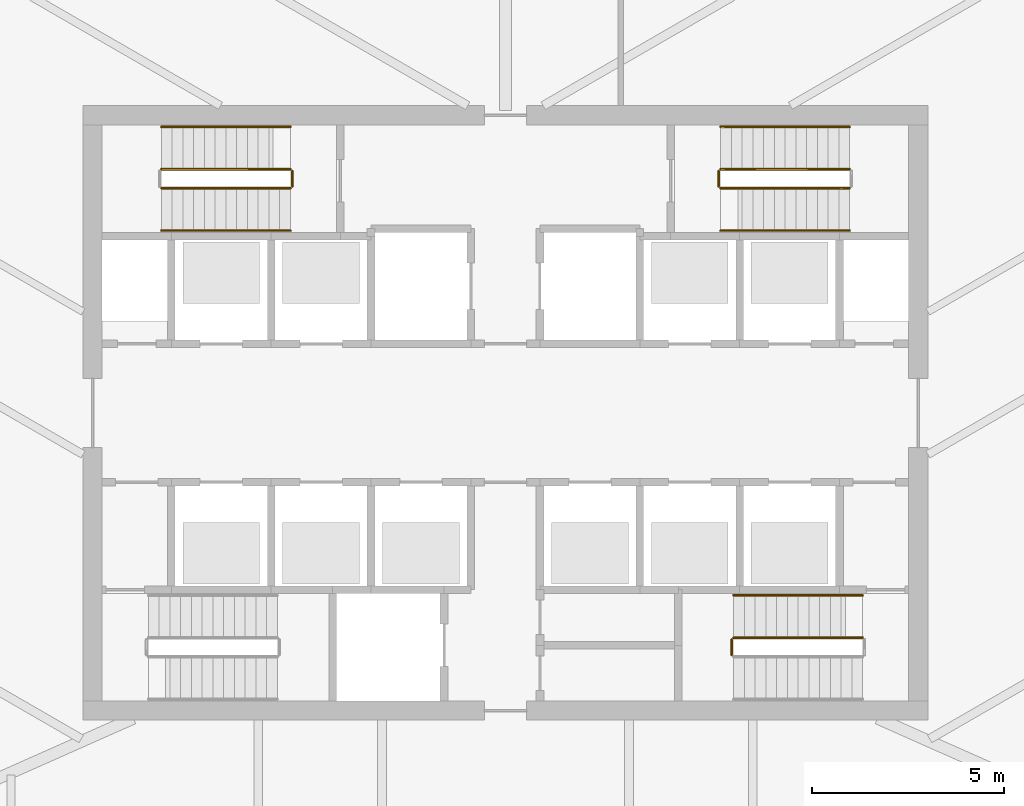
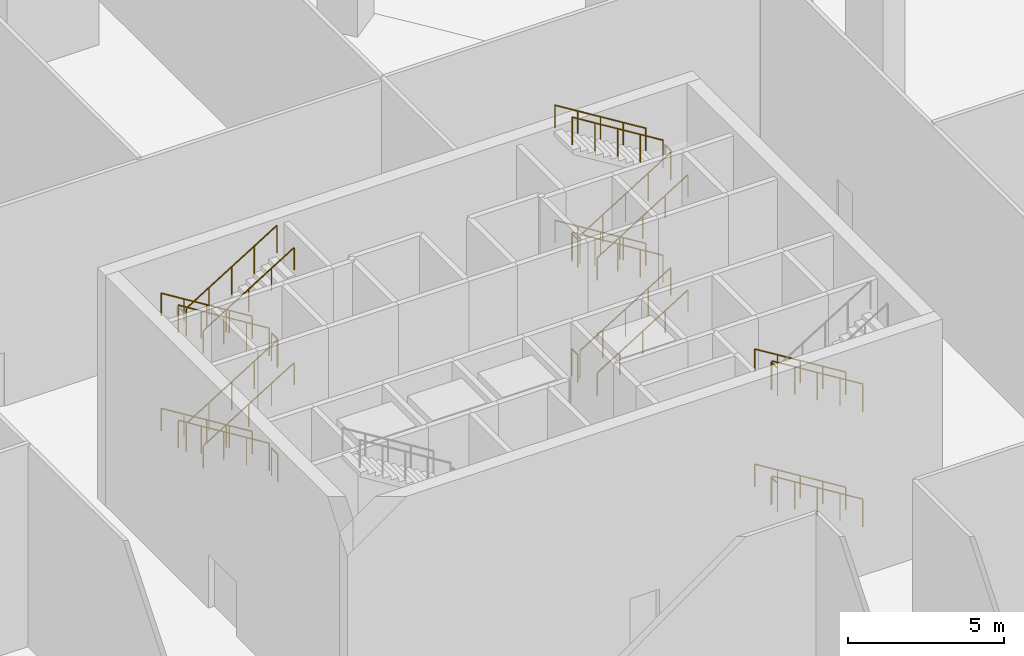
# One storey, part 25 of 29: 26 railings.
"""IFC4 building model written with IfcOpenShell, lengths in metres."""

from ifc_helpers import new_model, si_unit, direction, frame, origin, origin_2d, place, context, subcontext, project, spatial, circle, extrude, material, type_object, element, save


model = new_model("IFC4")

# Units and contexts
model_context = context("Model", 3, precision=1e-05, world=origin(), true_north=direction((0.0, 1.0)))
body_context = subcontext(model_context, "Body", "Model", "MODEL_VIEW")
ifc_project = project(units=[si_unit("LENGTHUNIT", "METRE"), si_unit("AREAUNIT", "SQUARE_METRE"), si_unit("VOLUMEUNIT", "CUBIC_METRE"), si_unit("PLANEANGLEUNIT", "RADIAN"), si_unit("MASSUNIT", "GRAM", prefix="KILO")], contexts=[model_context])

# Site, building, storey
site_placement = place(None, origin())
site = spatial("IfcSite", under=ifc_project, at=site_placement, CompositionType="ELEMENT")
building_placement = place(site_placement, origin())
building = spatial("IfcBuilding", under=site, at=building_placement, Name="Sierra Prisma Convention Tower", CompositionType="ELEMENT")
storey_placement = place(building_placement, origin())
storey = spatial("IfcBuildingStorey", under=building, at=storey_placement, Name="L00", CompositionType="ELEMENT", Elevation=0.0)

# Railings
ifc_material_1 = material(Name="Stainless steel", Category="steel")
railing_type_1 = type_object("IfcRailingType", Name="Exit stair handrail", PredefinedType="HANDRAIL", material=ifc_material_1)
for number, where, name in (
    (1, (9.300048828125, -4.75, 0.173095703125), "L00 S2 stair handrail 1"),
    (2, (9.300048828125, -4.75, 4.673095703125), "L00 S2 stair handrail 3"),
):
    element("IfcRailing", number, at=place(storey_placement, frame(where)), inside=storey, type_object=railing_type_1, Name=name, PredefinedType="HANDRAIL", context=body_context, shape_type="SweptSolid", body=[
        extrude(circle(Radius=0.02392578125, at=origin_2d()), frame((0.0, 0.0, 0.8759765625), z_axis=(-0.850623216509, 0.0, 0.525775754039), x_axis=(0.0, -1.0, 0.0)), (0.0, 0.0, 1.0), 3.9501953125),
        extrude(circle(Radius=0.02099609375, at=origin_2d()), origin(), (0.0, 0.0, 1.0), 0.851806640625),
        extrude(circle(Radius=0.02099609375, at=origin_2d()), frame((-0.840087890625, 0.0, 0.519287109375)), (0.0, 0.0, 1.0), 0.851806640625),
        extrude(circle(Radius=0.02099609375, at=origin_2d()), frame((-1.68017578125, 0.0, 1.03857421875)), (0.0, 0.0, 1.0), 0.851806640625),
        extrude(circle(Radius=0.02099609375, at=origin_2d()), frame((-2.52001953125, 0.0, 1.5576171875)), (0.0, 0.0, 1.0), 0.851806640625),
        extrude(circle(Radius=0.02099609375, at=origin_2d()), frame((-3.360107421875, 0.0, 2.076904296875)), (0.0, 0.0, 1.0), 0.851806640625),
    ])
railing_1_placement = place(storey_placement, frame((-5.60009765625, 7.449951171875, 0.173095703125)))
element("IfcRailing", 3, at=railing_1_placement, inside=storey, type_object=railing_type_1, Name="L00 S3 stair handrail 1", PredefinedType="HANDRAIL", context=body_context, shape_type="SweptSolid", body=[
    extrude(circle(Radius=0.02392578125, at=origin_2d()), frame((0.0, 0.0, 0.8759765625), z_axis=(-0.850606129759, 0.0, 0.525803396734), x_axis=(0.0, -1.0, 0.0)), (0.0, 0.0, 1.0), 3.949951171875),
    extrude(circle(Radius=0.02099609375, at=origin_2d()), origin(), (0.0, 0.0, 1.0), 0.851806640625),
    extrude(circle(Radius=0.02099609375, at=origin_2d()), frame((-0.83984375, 0.0, 0.519287109375)), (0.0, 0.0, 1.0), 0.851806640625),
    extrude(circle(Radius=0.02099609375, at=origin_2d()), frame((-1.679931640625, 0.0, 1.03857421875)), (0.0, 0.0, 1.0), 0.851806640625),
    extrude(circle(Radius=0.02099609375, at=origin_2d()), frame((-2.52001953125, 0.0, 1.5576171875)), (0.0, 0.0, 1.0), 0.851806640625),
    extrude(circle(Radius=0.02099609375, at=origin_2d()), frame((-3.35986328125, 0.0, 2.076904296875)), (0.0, 0.0, 1.0), 0.851806640625),
])
railing_2_placement = place(storey_placement, frame((-8.9599609375, 4.75, 2.423095703125)))
element("IfcRailing", 4, at=railing_2_placement, inside=storey, type_object=railing_type_1, Name="L00 S3 stair handrail 2", PredefinedType="HANDRAIL", context=body_context, shape_type="SweptSolid", body=[
    extrude(circle(Radius=0.02392578125, at=origin_2d()), frame((0.0, 0.0, 0.8759765625), z_axis=(0.850606129759, 0.0, 0.525803396734), x_axis=(0.0, 1.0, 0.0)), (0.0, 0.0, 1.0), 3.949951171875),
    extrude(circle(Radius=0.02099609375, at=origin_2d()), origin(), (0.0, 0.0, 1.0), 0.851806640625),
    extrude(circle(Radius=0.02099609375, at=origin_2d()), frame((0.83984375, 0.0, 0.519287109375)), (0.0, 0.0, 1.0), 0.851806640625),
    extrude(circle(Radius=0.02099609375, at=origin_2d()), frame((1.679931640625, 0.0, 1.03857421875)), (0.0, 0.0, 1.0), 0.851806640625),
    extrude(circle(Radius=0.02099609375, at=origin_2d()), frame((2.52001953125, 0.0, 1.5576171875)), (0.0, 0.0, 1.0), 0.851806640625),
    extrude(circle(Radius=0.02099609375, at=origin_2d()), frame((3.35986328125, 0.0, 2.076904296875)), (0.0, 0.0, 1.0), 0.851806640625),
])
railing_3_placement = place(storey_placement, frame((-5.60009765625, 7.449951171875, 4.673095703125)))
element("IfcRailing", 5, at=railing_3_placement, inside=storey, type_object=railing_type_1, Name="L00 S3 stair handrail 3", PredefinedType="HANDRAIL", context=body_context, shape_type="SweptSolid", body=[
    extrude(circle(Radius=0.02392578125, at=origin_2d()), frame((0.0, 0.0, 0.8759765625), z_axis=(-0.850606129759, 0.0, 0.525803396734), x_axis=(0.0, -1.0, 0.0)), (0.0, 0.0, 1.0), 3.949951171875),
    extrude(circle(Radius=0.02099609375, at=origin_2d()), origin(), (0.0, 0.0, 1.0), 0.851806640625),
    extrude(circle(Radius=0.02099609375, at=origin_2d()), frame((-0.83984375, 0.0, 0.519287109375)), (0.0, 0.0, 1.0), 0.851806640625),
    extrude(circle(Radius=0.02099609375, at=origin_2d()), frame((-1.679931640625, 0.0, 1.03857421875)), (0.0, 0.0, 1.0), 0.851806640625),
    extrude(circle(Radius=0.02099609375, at=origin_2d()), frame((-2.52001953125, 0.0, 1.5576171875)), (0.0, 0.0, 1.0), 0.851806640625),
    extrude(circle(Radius=0.02099609375, at=origin_2d()), frame((-3.35986328125, 0.0, 2.076904296875)), (0.0, 0.0, 1.0), 0.851806640625),
])
for number, where, name in (
    (6, (-8.9599609375, 4.75, 6.923095703125), "L00 S3 stair handrail 4"),
    (7, (5.60009765625, 4.75, 0.173095703125), "L00 S4 stair handrail 1"),
):
    element("IfcRailing", number, at=place(storey_placement, frame(where)), inside=storey, type_object=railing_type_1, Name=name, PredefinedType="HANDRAIL", context=body_context, shape_type="SweptSolid", body=[
        extrude(circle(Radius=0.02392578125, at=origin_2d()), frame((0.0, 0.0, 0.8759765625), z_axis=(0.850606129759, 0.0, 0.525803396734), x_axis=(0.0, 1.0, 0.0)), (0.0, 0.0, 1.0), 3.949951171875),
        extrude(circle(Radius=0.02099609375, at=origin_2d()), origin(), (0.0, 0.0, 1.0), 0.851806640625),
        extrude(circle(Radius=0.02099609375, at=origin_2d()), frame((0.83984375, 0.0, 0.519287109375)), (0.0, 0.0, 1.0), 0.851806640625),
        extrude(circle(Radius=0.02099609375, at=origin_2d()), frame((1.679931640625, 0.0, 1.03857421875)), (0.0, 0.0, 1.0), 0.851806640625),
        extrude(circle(Radius=0.02099609375, at=origin_2d()), frame((2.52001953125, 0.0, 1.5576171875)), (0.0, 0.0, 1.0), 0.851806640625),
        extrude(circle(Radius=0.02099609375, at=origin_2d()), frame((3.35986328125, 0.0, 2.076904296875)), (0.0, 0.0, 1.0), 0.851806640625),
    ])
railing_4_placement = place(storey_placement, frame((8.9599609375, 7.449951171875, 2.423095703125)))
element("IfcRailing", 8, at=railing_4_placement, inside=storey, type_object=railing_type_1, Name="L00 S4 stair handrail 2", PredefinedType="HANDRAIL", context=body_context, shape_type="SweptSolid", body=[
    extrude(circle(Radius=0.02392578125, at=origin_2d()), frame((0.0, 0.0, 0.8759765625), z_axis=(-0.850606129759, 0.0, 0.525803396734), x_axis=(0.0, -1.0, 0.0)), (0.0, 0.0, 1.0), 3.949951171875),
    extrude(circle(Radius=0.02099609375, at=origin_2d()), origin(), (0.0, 0.0, 1.0), 0.851806640625),
    extrude(circle(Radius=0.02099609375, at=origin_2d()), frame((-0.83984375, 0.0, 0.519287109375)), (0.0, 0.0, 1.0), 0.851806640625),
    extrude(circle(Radius=0.02099609375, at=origin_2d()), frame((-1.679931640625, 0.0, 1.03857421875)), (0.0, 0.0, 1.0), 0.851806640625),
    extrude(circle(Radius=0.02099609375, at=origin_2d()), frame((-2.52001953125, 0.0, 1.5576171875)), (0.0, 0.0, 1.0), 0.851806640625),
    extrude(circle(Radius=0.02099609375, at=origin_2d()), frame((-3.35986328125, 0.0, 2.076904296875)), (0.0, 0.0, 1.0), 0.851806640625),
])
railing_5_placement = place(storey_placement, frame((5.60009765625, 4.75, 4.673095703125)))
element("IfcRailing", 9, at=railing_5_placement, inside=storey, type_object=railing_type_1, Name="L00 S4 stair handrail 3", PredefinedType="HANDRAIL", context=body_context, shape_type="SweptSolid", body=[
    extrude(circle(Radius=0.02392578125, at=origin_2d()), frame((0.0, 0.0, 0.8759765625), z_axis=(0.850606129759, 0.0, 0.525803396734), x_axis=(0.0, 1.0, 0.0)), (0.0, 0.0, 1.0), 3.949951171875),
    extrude(circle(Radius=0.02099609375, at=origin_2d()), origin(), (0.0, 0.0, 1.0), 0.851806640625),
    extrude(circle(Radius=0.02099609375, at=origin_2d()), frame((0.83984375, 0.0, 0.519287109375)), (0.0, 0.0, 1.0), 0.851806640625),
    extrude(circle(Radius=0.02099609375, at=origin_2d()), frame((1.679931640625, 0.0, 1.03857421875)), (0.0, 0.0, 1.0), 0.851806640625),
    extrude(circle(Radius=0.02099609375, at=origin_2d()), frame((2.52001953125, 0.0, 1.5576171875)), (0.0, 0.0, 1.0), 0.851806640625),
    extrude(circle(Radius=0.02099609375, at=origin_2d()), frame((3.35986328125, 0.0, 2.076904296875)), (0.0, 0.0, 1.0), 0.851806640625),
])
railing_6_placement = place(storey_placement, frame((8.9599609375, 7.449951171875, 6.923095703125)))
element("IfcRailing", 10, at=railing_6_placement, inside=storey, type_object=railing_type_1, Name="L00 S4 stair handrail 4", PredefinedType="HANDRAIL", context=body_context, shape_type="SweptSolid", body=[
    extrude(circle(Radius=0.02392578125, at=origin_2d()), frame((0.0, 0.0, 0.8759765625), z_axis=(-0.850606129759, 0.0, 0.525803396734), x_axis=(0.0, -1.0, 0.0)), (0.0, 0.0, 1.0), 3.949951171875),
    extrude(circle(Radius=0.02099609375, at=origin_2d()), origin(), (0.0, 0.0, 1.0), 0.851806640625),
    extrude(circle(Radius=0.02099609375, at=origin_2d()), frame((-0.83984375, 0.0, 0.519287109375)), (0.0, 0.0, 1.0), 0.851806640625),
    extrude(circle(Radius=0.02099609375, at=origin_2d()), frame((-1.679931640625, 0.0, 1.03857421875)), (0.0, 0.0, 1.0), 0.851806640625),
    extrude(circle(Radius=0.02099609375, at=origin_2d()), frame((-2.52001953125, 0.0, 1.5576171875)), (0.0, 0.0, 1.0), 0.851806640625),
    extrude(circle(Radius=0.02099609375, at=origin_2d()), frame((-3.35986328125, 0.0, 2.076904296875)), (0.0, 0.0, 1.0), 0.851806640625),
])
ifc_material_2 = material(Name="Stainless steel", Category="steel")
railing_type_2 = type_object("IfcRailingType", Name="Stair guard 1100", PredefinedType="GUARDRAIL", material=ifc_material_2)
railing_7_placement = place(storey_placement, frame((9.300048828125, -5.85009765625, 0.173095703125)))
element("IfcRailing", 11, at=railing_7_placement, inside=storey, type_object=railing_type_2, Name="L00 S2 stair guard 1", PredefinedType="GUARDRAIL", context=body_context, shape_type="SweptSolid", body=[
    extrude(circle(Radius=0.02392578125, at=origin_2d()), frame((0.0, 0.0, 1.076171875), z_axis=(-0.850623216509, 0.0, 0.525775754039), x_axis=(0.0, -1.0, 0.0)), (0.0, 0.0, 1.0), 3.9501953125),
    extrude(circle(Radius=0.02099609375, at=origin_2d()), origin(), (0.0, 0.0, 1.0), 1.052001953125),
    extrude(circle(Radius=0.02099609375, at=origin_2d()), frame((-0.840087890625, 0.0, 0.519287109375)), (0.0, 0.0, 1.0), 1.052001953125),
    extrude(circle(Radius=0.02099609375, at=origin_2d()), frame((-1.68017578125, 0.0, 1.03857421875)), (0.0, 0.0, 1.0), 1.052001953125),
    extrude(circle(Radius=0.02099609375, at=origin_2d()), frame((-2.52001953125, 0.0, 1.5576171875)), (0.0, 0.0, 1.0), 1.052001953125),
    extrude(circle(Radius=0.02099609375, at=origin_2d()), frame((-3.360107421875, 0.0, 2.076904296875)), (0.0, 0.0, 1.0), 1.052001953125),
])
railing_8_placement = place(storey_placement, frame((5.889892578125, -5.89990234375, 2.25)))
element("IfcRailing", 12, at=railing_8_placement, inside=storey, type_object=railing_type_2, Name="L00 S2 stair guard 2", PredefinedType="GUARDRAIL", context=body_context, shape_type="SweptSolid", body=[
    extrude(circle(Radius=0.02392578125, at=origin_2d()), frame((0.0, 0.0, 1.076171875), z_axis=(0.0, -1.0, 0.0), x_axis=(1.0, 0.0, 0.0)), (0.0, 0.0, 1.0), 0.400146484375),
    extrude(circle(Radius=0.02099609375, at=origin_2d()), origin(), (0.0, 0.0, 1.0), 1.052001953125),
    extrude(circle(Radius=0.02099609375, at=origin_2d()), frame((0.0, -0.400146484375, 0.0)), (0.0, 0.0, 1.0), 1.052001953125),
])
railing_9_placement = place(storey_placement, frame((9.300048828125, -5.85009765625, 4.673095703125)))
element("IfcRailing", 13, at=railing_9_placement, inside=storey, type_object=railing_type_2, Name="L00 S2 stair guard 5", PredefinedType="GUARDRAIL", context=body_context, shape_type="SweptSolid", body=[
    extrude(circle(Radius=0.02392578125, at=origin_2d()), frame((0.0, 0.0, 1.076171875), z_axis=(-0.850623216509, 0.0, 0.525775754039), x_axis=(0.0, -1.0, 0.0)), (0.0, 0.0, 1.0), 3.9501953125),
    extrude(circle(Radius=0.02099609375, at=origin_2d()), origin(), (0.0, 0.0, 1.0), 1.052001953125),
    extrude(circle(Radius=0.02099609375, at=origin_2d()), frame((-0.840087890625, 0.0, 0.519287109375)), (0.0, 0.0, 1.0), 1.052001953125),
    extrude(circle(Radius=0.02099609375, at=origin_2d()), frame((-1.68017578125, 0.0, 1.03857421875)), (0.0, 0.0, 1.0), 1.052001953125),
    extrude(circle(Radius=0.02099609375, at=origin_2d()), frame((-2.52001953125, 0.0, 1.5576171875)), (0.0, 0.0, 1.0), 1.052001953125),
    extrude(circle(Radius=0.02099609375, at=origin_2d()), frame((-3.360107421875, 0.0, 2.076904296875)), (0.0, 0.0, 1.0), 1.052001953125),
])
railing_10_placement = place(storey_placement, frame((5.889892578125, -5.89990234375, 6.75)))
element("IfcRailing", 14, at=railing_10_placement, inside=storey, type_object=railing_type_2, Name="L00 S2 stair guard 6", PredefinedType="GUARDRAIL", context=body_context, shape_type="SweptSolid", body=[
    extrude(circle(Radius=0.02392578125, at=origin_2d()), frame((0.0, 0.0, 1.076171875), z_axis=(0.0, -1.0, 0.0), x_axis=(1.0, 0.0, 0.0)), (0.0, 0.0, 1.0), 0.400146484375),
    extrude(circle(Radius=0.02099609375, at=origin_2d()), origin(), (0.0, 0.0, 1.0), 1.052001953125),
    extrude(circle(Radius=0.02099609375, at=origin_2d()), frame((0.0, -0.400146484375, 0.0)), (0.0, 0.0, 1.0), 1.052001953125),
])
railing_11_placement = place(storey_placement, frame((-5.60009765625, 6.35009765625, 0.173095703125)))
element("IfcRailing", 15, at=railing_11_placement, inside=storey, type_object=railing_type_2, Name="L00 S3 stair guard 1", PredefinedType="GUARDRAIL", context=body_context, shape_type="SweptSolid", body=[
    extrude(circle(Radius=0.02392578125, at=origin_2d()), frame((0.0, 0.0, 1.076171875), z_axis=(-0.850606129759, 0.0, 0.525803396734), x_axis=(0.0, -1.0, 0.0)), (0.0, 0.0, 1.0), 3.949951171875),
    extrude(circle(Radius=0.02099609375, at=origin_2d()), origin(), (0.0, 0.0, 1.0), 1.052001953125),
    extrude(circle(Radius=0.02099609375, at=origin_2d()), frame((-0.83984375, 0.0, 0.519287109375)), (0.0, 0.0, 1.0), 1.052001953125),
    extrude(circle(Radius=0.02099609375, at=origin_2d()), frame((-1.679931640625, 0.0, 1.03857421875)), (0.0, 0.0, 1.0), 1.052001953125),
    extrude(circle(Radius=0.02099609375, at=origin_2d()), frame((-2.52001953125, 0.0, 1.5576171875)), (0.0, 0.0, 1.0), 1.052001953125),
    extrude(circle(Radius=0.02099609375, at=origin_2d()), frame((-3.35986328125, 0.0, 2.076904296875)), (0.0, 0.0, 1.0), 1.052001953125),
])
railing_12_placement = place(storey_placement, frame((-8.9599609375, 5.85009765625, 2.423095703125)))
element("IfcRailing", 16, at=railing_12_placement, inside=storey, type_object=railing_type_2, Name="L00 S3 stair guard 3", PredefinedType="GUARDRAIL", context=body_context, shape_type="SweptSolid", body=[
    extrude(circle(Radius=0.02392578125, at=origin_2d()), frame((0.0, 0.0, 1.076171875), z_axis=(0.850606129759, 0.0, 0.525803396734), x_axis=(0.0, 1.0, 0.0)), (0.0, 0.0, 1.0), 3.949951171875),
    extrude(circle(Radius=0.02099609375, at=origin_2d()), origin(), (0.0, 0.0, 1.0), 1.052001953125),
    extrude(circle(Radius=0.02099609375, at=origin_2d()), frame((0.83984375, 0.0, 0.519287109375)), (0.0, 0.0, 1.0), 1.052001953125),
    extrude(circle(Radius=0.02099609375, at=origin_2d()), frame((1.679931640625, 0.0, 1.03857421875)), (0.0, 0.0, 1.0), 1.052001953125),
    extrude(circle(Radius=0.02099609375, at=origin_2d()), frame((2.52001953125, 0.0, 1.5576171875)), (0.0, 0.0, 1.0), 1.052001953125),
    extrude(circle(Radius=0.02099609375, at=origin_2d()), frame((3.35986328125, 0.0, 2.076904296875)), (0.0, 0.0, 1.0), 1.052001953125),
])
railing_13_placement = place(storey_placement, frame((-5.550048828125, 6.300048828125, 4.5)))
element("IfcRailing", 17, at=railing_13_placement, inside=storey, type_object=railing_type_2, Name="L00 S3 stair guard 4", PredefinedType="GUARDRAIL", context=body_context, shape_type="SweptSolid", body=[
    extrude(circle(Radius=0.02392578125, at=origin_2d()), frame((0.0, 0.0, 1.076171875), z_axis=(0.0, -1.0, 0.0), x_axis=(1.0, 0.0, 0.0)), (0.0, 0.0, 1.0), 0.400146484375),
    extrude(circle(Radius=0.02099609375, at=origin_2d()), origin(), (0.0, 0.0, 1.0), 1.052001953125),
    extrude(circle(Radius=0.02099609375, at=origin_2d()), frame((0.0, -0.400146484375, 0.0)), (0.0, 0.0, 1.0), 1.052001953125),
])
railing_14_placement = place(storey_placement, frame((-5.60009765625, 6.35009765625, 4.673095703125)))
element("IfcRailing", 18, at=railing_14_placement, inside=storey, type_object=railing_type_2, Name="L00 S3 stair guard 5", PredefinedType="GUARDRAIL", context=body_context, shape_type="SweptSolid", body=[
    extrude(circle(Radius=0.02392578125, at=origin_2d()), frame((0.0, 0.0, 1.076171875), z_axis=(-0.850606129759, 0.0, 0.525803396734), x_axis=(0.0, -1.0, 0.0)), (0.0, 0.0, 1.0), 3.949951171875),
    extrude(circle(Radius=0.02099609375, at=origin_2d()), origin(), (0.0, 0.0, 1.0), 1.052001953125),
    extrude(circle(Radius=0.02099609375, at=origin_2d()), frame((-0.83984375, 0.0, 0.519287109375)), (0.0, 0.0, 1.0), 1.052001953125),
    extrude(circle(Radius=0.02099609375, at=origin_2d()), frame((-1.679931640625, 0.0, 1.03857421875)), (0.0, 0.0, 1.0), 1.052001953125),
    extrude(circle(Radius=0.02099609375, at=origin_2d()), frame((-2.52001953125, 0.0, 1.5576171875)), (0.0, 0.0, 1.0), 1.052001953125),
    extrude(circle(Radius=0.02099609375, at=origin_2d()), frame((-3.35986328125, 0.0, 2.076904296875)), (0.0, 0.0, 1.0), 1.052001953125),
])
railing_15_placement = place(storey_placement, frame((-8.9599609375, 5.85009765625, 6.923095703125)))
element("IfcRailing", 19, at=railing_15_placement, inside=storey, type_object=railing_type_2, Name="L00 S3 stair guard 7", PredefinedType="GUARDRAIL", context=body_context, shape_type="SweptSolid", body=[
    extrude(circle(Radius=0.02392578125, at=origin_2d()), frame((0.0, 0.0, 1.076171875), z_axis=(0.850606129759, 0.0, 0.525803396734), x_axis=(0.0, 1.0, 0.0)), (0.0, 0.0, 1.0), 3.949951171875),
    extrude(circle(Radius=0.02099609375, at=origin_2d()), origin(), (0.0, 0.0, 1.0), 1.052001953125),
    extrude(circle(Radius=0.02099609375, at=origin_2d()), frame((0.83984375, 0.0, 0.519287109375)), (0.0, 0.0, 1.0), 1.052001953125),
    extrude(circle(Radius=0.02099609375, at=origin_2d()), frame((1.679931640625, 0.0, 1.03857421875)), (0.0, 0.0, 1.0), 1.052001953125),
    extrude(circle(Radius=0.02099609375, at=origin_2d()), frame((2.52001953125, 0.0, 1.5576171875)), (0.0, 0.0, 1.0), 1.052001953125),
    extrude(circle(Radius=0.02099609375, at=origin_2d()), frame((3.35986328125, 0.0, 2.076904296875)), (0.0, 0.0, 1.0), 1.052001953125),
])
railing_16_placement = place(storey_placement, frame((-5.550048828125, 6.300048828125, 0.0)))
element("IfcRailing", 20, at=railing_16_placement, inside=storey, type_object=railing_type_2, Name="L00 S3 stair guard 8", PredefinedType="GUARDRAIL", context=body_context, shape_type="SweptSolid", body=[
    extrude(circle(Radius=0.02392578125, at=origin_2d()), frame((0.0, 0.0, 1.076171875), z_axis=(0.0, -1.0, 0.0), x_axis=(1.0, 0.0, 0.0)), (0.0, 0.0, 1.0), 0.400146484375),
    extrude(circle(Radius=0.02099609375, at=origin_2d()), origin(), (0.0, 0.0, 1.0), 1.052001953125),
    extrude(circle(Radius=0.02099609375, at=origin_2d()), frame((0.0, -0.400146484375, 0.0)), (0.0, 0.0, 1.0), 1.052001953125),
])
railing_17_placement = place(storey_placement, frame((5.60009765625, 5.85009765625, 0.173095703125)))
element("IfcRailing", 21, at=railing_17_placement, inside=storey, type_object=railing_type_2, Name="L00 S4 stair guard 1", PredefinedType="GUARDRAIL", context=body_context, shape_type="SweptSolid", body=[
    extrude(circle(Radius=0.02392578125, at=origin_2d()), frame((0.0, 0.0, 1.076171875), z_axis=(0.850606129759, 0.0, 0.525803396734), x_axis=(0.0, 1.0, 0.0)), (0.0, 0.0, 1.0), 3.949951171875),
    extrude(circle(Radius=0.02099609375, at=origin_2d()), origin(), (0.0, 0.0, 1.0), 1.052001953125),
    extrude(circle(Radius=0.02099609375, at=origin_2d()), frame((0.83984375, 0.0, 0.519287109375)), (0.0, 0.0, 1.0), 1.052001953125),
    extrude(circle(Radius=0.02099609375, at=origin_2d()), frame((1.679931640625, 0.0, 1.03857421875)), (0.0, 0.0, 1.0), 1.052001953125),
    extrude(circle(Radius=0.02099609375, at=origin_2d()), frame((2.52001953125, 0.0, 1.5576171875)), (0.0, 0.0, 1.0), 1.052001953125),
    extrude(circle(Radius=0.02099609375, at=origin_2d()), frame((3.35986328125, 0.0, 2.076904296875)), (0.0, 0.0, 1.0), 1.052001953125),
])
railing_18_placement = place(storey_placement, frame((8.9599609375, 6.35009765625, 2.423095703125)))
element("IfcRailing", 22, at=railing_18_placement, inside=storey, type_object=railing_type_2, Name="L00 S4 stair guard 3", PredefinedType="GUARDRAIL", context=body_context, shape_type="SweptSolid", body=[
    extrude(circle(Radius=0.02392578125, at=origin_2d()), frame((0.0, 0.0, 1.076171875), z_axis=(-0.850606129759, 0.0, 0.525803396734), x_axis=(0.0, -1.0, 0.0)), (0.0, 0.0, 1.0), 3.949951171875),
    extrude(circle(Radius=0.02099609375, at=origin_2d()), origin(), (0.0, 0.0, 1.0), 1.052001953125),
    extrude(circle(Radius=0.02099609375, at=origin_2d()), frame((-0.83984375, 0.0, 0.519287109375)), (0.0, 0.0, 1.0), 1.052001953125),
    extrude(circle(Radius=0.02099609375, at=origin_2d()), frame((-1.679931640625, 0.0, 1.03857421875)), (0.0, 0.0, 1.0), 1.052001953125),
    extrude(circle(Radius=0.02099609375, at=origin_2d()), frame((-2.52001953125, 0.0, 1.5576171875)), (0.0, 0.0, 1.0), 1.052001953125),
    extrude(circle(Radius=0.02099609375, at=origin_2d()), frame((-3.35986328125, 0.0, 2.076904296875)), (0.0, 0.0, 1.0), 1.052001953125),
])
railing_19_placement = place(storey_placement, frame((5.550048828125, 5.89990234375, 4.5)))
element("IfcRailing", 23, at=railing_19_placement, inside=storey, type_object=railing_type_2, Name="L00 S4 stair guard 4", PredefinedType="GUARDRAIL", context=body_context, shape_type="SweptSolid", body=[
    extrude(circle(Radius=0.02392578125, at=origin_2d()), frame((0.0, 0.0, 1.076171875), z_axis=(0.0, 1.0, 0.0), x_axis=(-1.0, 0.0, 0.0)), (0.0, 0.0, 1.0), 0.400146484375),
    extrude(circle(Radius=0.02099609375, at=origin_2d()), origin(), (0.0, 0.0, 1.0), 1.052001953125),
    extrude(circle(Radius=0.02099609375, at=origin_2d()), frame((0.0, 0.400146484375, 0.0)), (0.0, 0.0, 1.0), 1.052001953125),
])
railing_20_placement = place(storey_placement, frame((5.60009765625, 5.85009765625, 4.673095703125)))
element("IfcRailing", 24, at=railing_20_placement, inside=storey, type_object=railing_type_2, Name="L00 S4 stair guard 5", PredefinedType="GUARDRAIL", context=body_context, shape_type="SweptSolid", body=[
    extrude(circle(Radius=0.02392578125, at=origin_2d()), frame((0.0, 0.0, 1.076171875), z_axis=(0.850606129759, 0.0, 0.525803396734), x_axis=(0.0, 1.0, 0.0)), (0.0, 0.0, 1.0), 3.949951171875),
    extrude(circle(Radius=0.02099609375, at=origin_2d()), origin(), (0.0, 0.0, 1.0), 1.052001953125),
    extrude(circle(Radius=0.02099609375, at=origin_2d()), frame((0.83984375, 0.0, 0.519287109375)), (0.0, 0.0, 1.0), 1.052001953125),
    extrude(circle(Radius=0.02099609375, at=origin_2d()), frame((1.679931640625, 0.0, 1.03857421875)), (0.0, 0.0, 1.0), 1.052001953125),
    extrude(circle(Radius=0.02099609375, at=origin_2d()), frame((2.52001953125, 0.0, 1.5576171875)), (0.0, 0.0, 1.0), 1.052001953125),
    extrude(circle(Radius=0.02099609375, at=origin_2d()), frame((3.35986328125, 0.0, 2.076904296875)), (0.0, 0.0, 1.0), 1.052001953125),
])
railing_21_placement = place(storey_placement, frame((8.9599609375, 6.35009765625, 6.923095703125)))
element("IfcRailing", 25, at=railing_21_placement, inside=storey, type_object=railing_type_2, Name="L00 S4 stair guard 7", PredefinedType="GUARDRAIL", context=body_context, shape_type="SweptSolid", body=[
    extrude(circle(Radius=0.02392578125, at=origin_2d()), frame((0.0, 0.0, 1.076171875), z_axis=(-0.850606129759, 0.0, 0.525803396734), x_axis=(0.0, -1.0, 0.0)), (0.0, 0.0, 1.0), 3.949951171875),
    extrude(circle(Radius=0.02099609375, at=origin_2d()), origin(), (0.0, 0.0, 1.0), 1.052001953125),
    extrude(circle(Radius=0.02099609375, at=origin_2d()), frame((-0.83984375, 0.0, 0.519287109375)), (0.0, 0.0, 1.0), 1.052001953125),
    extrude(circle(Radius=0.02099609375, at=origin_2d()), frame((-1.679931640625, 0.0, 1.03857421875)), (0.0, 0.0, 1.0), 1.052001953125),
    extrude(circle(Radius=0.02099609375, at=origin_2d()), frame((-2.52001953125, 0.0, 1.5576171875)), (0.0, 0.0, 1.0), 1.052001953125),
    extrude(circle(Radius=0.02099609375, at=origin_2d()), frame((-3.35986328125, 0.0, 2.076904296875)), (0.0, 0.0, 1.0), 1.052001953125),
])
railing_22_placement = place(storey_placement, frame((5.550048828125, 5.89990234375, 0.0)))
element("IfcRailing", 26, at=railing_22_placement, inside=storey, type_object=railing_type_2, Name="L00 S4 stair guard 8", PredefinedType="GUARDRAIL", context=body_context, shape_type="SweptSolid", body=[
    extrude(circle(Radius=0.02392578125, at=origin_2d()), frame((0.0, 0.0, 1.076171875), z_axis=(0.0, 1.0, 0.0), x_axis=(-1.0, 0.0, 0.0)), (0.0, 0.0, 1.0), 0.400146484375),
    extrude(circle(Radius=0.02099609375, at=origin_2d()), origin(), (0.0, 0.0, 1.0), 1.052001953125),
    extrude(circle(Radius=0.02099609375, at=origin_2d()), frame((0.0, 0.400146484375, 0.0)), (0.0, 0.0, 1.0), 1.052001953125),
])

save(model, "model.ifc")
